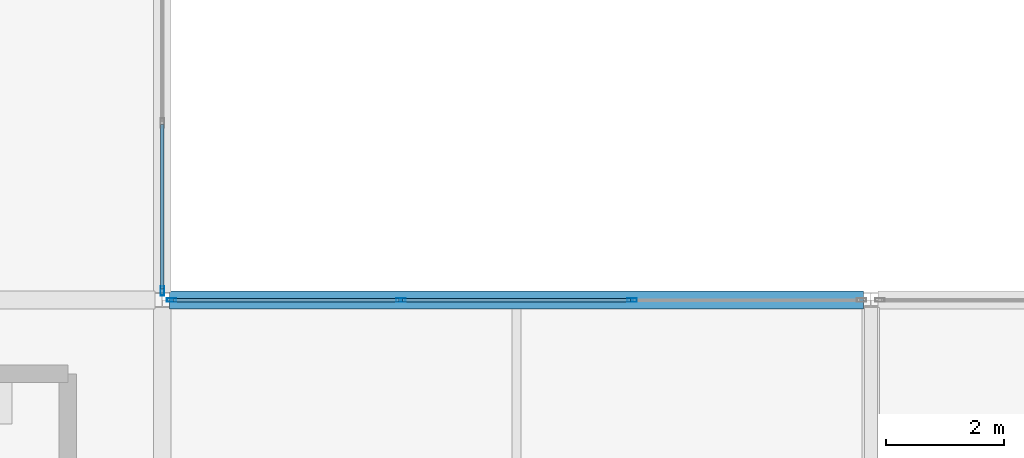
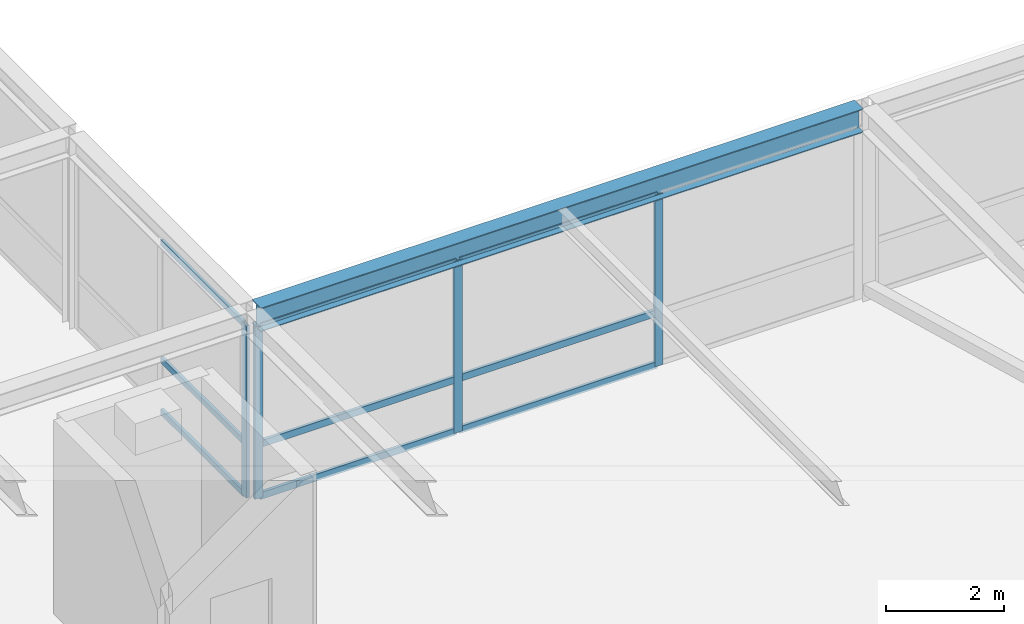
# One storey, part 63 of 111: 13 members, 1 beam, 2 elements without a shape of their own.
"""IFC4 building model written with IfcOpenShell, lengths in metres."""

from ifc_helpers import new_model, si_unit, direction, frame, origin, origin_2d, place, context, subcontext, project, spatial, hollow_rectangle, i_section, extrude, material, layer, layer_set, material_profile, profile_set, type_object, element, aggregate, save


model = new_model("IFC4")

# Units and contexts
model_context = context("Model", 3, precision=1e-05, world=origin(), true_north=direction((0.0, 1.0)))
body_context = subcontext(model_context, "Body", "Model", "MODEL_VIEW")
ifc_project = project(units=[si_unit("LENGTHUNIT", "METRE"), si_unit("AREAUNIT", "SQUARE_METRE"), si_unit("VOLUMEUNIT", "CUBIC_METRE"), si_unit("PLANEANGLEUNIT", "RADIAN"), si_unit("MASSUNIT", "GRAM", prefix="KILO")], contexts=[model_context])

# Site, building, storey
site_placement = place(None, origin())
site = spatial("IfcSite", under=ifc_project, at=site_placement, CompositionType="ELEMENT")
building_placement = place(site_placement, origin())
building = spatial("IfcBuilding", under=site, at=building_placement, Name="Zlatovratsky Civic Hall", CompositionType="ELEMENT")
storey_placement = place(building_placement, frame((0.0, 0.0, 16.5)))
storey = spatial("IfcBuildingStorey", under=building, at=storey_placement, Name="L04", CompositionType="ELEMENT", Elevation=16.5)

# Beam
ifc_material_1 = material(Name="Steel S355", Category="steel")
ifc_material_profile_1 = material_profile(ifc_material_1, i_section(OverallWidth=0.300048828125, OverallDepth=0.487060546875, WebThickness=0.014404296875, FlangeThickness=0.017578125, FilletRadius=0.02392578125, at=origin_2d()), Name="50Sh2")
ifc_profile_set_1 = profile_set([ifc_material_profile_1], Name="Steel S355")
beam_type = type_object("IfcBeamType", Name="Beam_ArchiveGirder_50Sh2", PredefinedType="BEAM", material=ifc_profile_set_1)
beam_placement = place(storey_placement, frame((120.125, 30.0, 3.756591796875), z_axis=(1.0, 0.0, 0.0), x_axis=(0.0, 1.0, 0.0)))
element("IfcBeam", 1, at=beam_placement, inside=storey, type_object=beam_type, Name="BM-3269", PredefinedType="BEAM", context=body_context, shape_type="SweptSolid", body=[
    extrude(i_section(OverallWidth=0.300048828125, OverallDepth=0.487060546875, WebThickness=0.014404296875, FlangeThickness=0.017578125, FilletRadius=0.02392578125, at=origin_2d()), origin(), (0.0, 0.0, 1.0), 11.75),
])

# Curtain wall, members
ifc_material_2 = material(Name="Anodised bronze aluminium", Category="aluminium")
ifc_layer_1 = layer(ifc_material_2, 0.159912109375)
ifc_layer_set_1 = layer_set([ifc_layer_1], Name="Anodised bronze aluminium")
curtain_wall_type_1 = type_object("IfcCurtainWallType", Name="CurtainWall_Bronze_11750x3550_17", PredefinedType="NOTDEFINED", material=ifc_layer_set_1)
curtain_wall_1_placement = place(storey_placement, origin())
curtain_wall_1 = element("IfcCurtainWall", 2, at=curtain_wall_1_placement, inside=storey, type_object=curtain_wall_type_1, Name="CW-111", PredefinedType="NOTDEFINED")
ifc_material_profile_2 = material_profile(ifc_material_2, hollow_rectangle(XDim=0.06005859375, YDim=0.159912109375, WallThickness=0.00390625, at=origin_2d()), Name="ALU 60x160x4")
ifc_profile_set_2 = profile_set([ifc_material_profile_2], Name="Anodised bronze aluminium")
member_type_1 = type_object("IfcMemberType", Name="CW_Mullion_60x160", PredefinedType="MULLION", material=ifc_profile_set_2)
member_1_placement = place(storey_placement, frame((120.155029296875, 30.0, 0.0), z_axis=(0.0, 0.0, 1.0), x_axis=(0.0, 1.0, 0.0)))
member_1 = element("IfcMember", 3, at=member_1_placement, type_object=member_type_1, Name="CW-17 mullion 1", PredefinedType="MULLION", context=body_context, shape_type="SweptSolid", body=[
    extrude(hollow_rectangle(XDim=0.06005859375, YDim=0.159912109375, WallThickness=0.00390625, at=origin_2d()), origin(), (0.0, 0.0, 1.0), 3.550048828125),
])
member_2_placement = place(storey_placement, frame((124.041748046875, 30.0, 0.0), z_axis=(0.0, 0.0, 1.0), x_axis=(0.0, 1.0, 0.0)))
member_2 = element("IfcMember", 4, at=member_2_placement, type_object=member_type_1, Name="CW-17 mullion 2", PredefinedType="MULLION", context=body_context, shape_type="SweptSolid", body=[
    extrude(hollow_rectangle(XDim=0.06005859375, YDim=0.159912109375, WallThickness=0.00390625, at=origin_2d()), origin(), (0.0, 0.0, 1.0), 3.550048828125),
])
member_3_placement = place(storey_placement, frame((127.958251953125, 30.0, 0.0), z_axis=(0.0, 0.0, 1.0), x_axis=(0.0, 1.0, 0.0)))
member_3 = element("IfcMember", 5, at=member_3_placement, type_object=member_type_1, Name="CW-17 mullion 3", PredefinedType="MULLION", context=body_context, shape_type="SweptSolid", body=[
    extrude(hollow_rectangle(XDim=0.06005859375, YDim=0.159912109375, WallThickness=0.00390625, at=origin_2d()), origin(), (0.0, 0.0, 1.0), 3.550048828125),
])

ifc_layer_2 = layer(ifc_material_2, 0.159912109375)
ifc_layer_set_2 = layer_set([ifc_layer_2], Name="Anodised bronze aluminium")
curtain_wall_type_2 = type_object("IfcCurtainWallType", Name="CurtainWall_Bronze_5750x3550_18", PredefinedType="NOTDEFINED", material=ifc_layer_set_2)
curtain_wall_2_placement = place(storey_placement, origin())
curtain_wall_2 = element("IfcCurtainWall", 6, at=curtain_wall_2_placement, inside=storey, type_object=curtain_wall_type_2, Name="CW-117", PredefinedType="NOTDEFINED")
member_4_placement = place(storey_placement, frame((120.0, 30.155029296875, 0.0), z_axis=(0.0, 0.0, 1.0), x_axis=(-1.0, 0.0, 0.0)))
member_4 = element("IfcMember", 7, at=member_4_placement, type_object=member_type_1, Name="CW-18 mullion 1", PredefinedType="MULLION", context=body_context, shape_type="SweptSolid", body=[
    extrude(hollow_rectangle(XDim=0.06005859375, YDim=0.159912109375, WallThickness=0.00390625, at=origin_2d()), origin(), (0.0, 0.0, 1.0), 3.550048828125),
])
ifc_material_profile_3 = material_profile(ifc_material_2, hollow_rectangle(XDim=0.06005859375, YDim=0.1201171875, WallThickness=0.00390625, at=origin_2d()), Name="ALU 60x120x4")
ifc_profile_set_3 = profile_set([ifc_material_profile_3], Name="Anodised bronze aluminium")
member_type_2 = type_object("IfcMemberType", Name="CW_Transom_60x120", PredefinedType="USERDEFINED", material=ifc_profile_set_3)
member_5_placement = place(storey_placement, frame((120.0, 30.18505859375, 0.030029296875), z_axis=(0.0, 1.0, 0.0), x_axis=(-1.0, 0.0, 0.0)))
member_5 = element("IfcMember", 8, at=member_5_placement, type_object=member_type_2, Name="CW-18 transom 1.1", ObjectType="TRANSOM", PredefinedType="USERDEFINED", context=body_context, shape_type="SweptSolid", body=[
    extrude(hollow_rectangle(XDim=0.06005859375, YDim=0.1201171875, WallThickness=0.00390625, at=origin_2d()), origin(), (0.0, 0.0, 1.0), 2.784912109375),
])
member_6_placement = place(storey_placement, frame((120.0, 30.18505859375, 1.10009765625), z_axis=(0.0, 1.0, 0.0), x_axis=(-1.0, 0.0, 0.0)))
member_6 = element("IfcMember", 9, at=member_6_placement, type_object=member_type_2, Name="CW-18 transom 1.2", ObjectType="TRANSOM", PredefinedType="USERDEFINED", context=body_context, shape_type="SweptSolid", body=[
    extrude(hollow_rectangle(XDim=0.06005859375, YDim=0.1201171875, WallThickness=0.00390625, at=origin_2d()), origin(), (0.0, 0.0, 1.0), 2.784912109375),
])
member_7_placement = place(storey_placement, frame((120.0, 30.18505859375, 3.52001953125), z_axis=(0.0, 1.0, 0.0), x_axis=(-1.0, 0.0, 0.0)))
member_7 = element("IfcMember", 10, at=member_7_placement, type_object=member_type_2, Name="CW-18 transom 1.3", ObjectType="TRANSOM", PredefinedType="USERDEFINED", context=body_context, shape_type="SweptSolid", body=[
    extrude(hollow_rectangle(XDim=0.06005859375, YDim=0.1201171875, WallThickness=0.00390625, at=origin_2d()), origin(), (0.0, 0.0, 1.0), 2.784912109375),
])
aggregate(curtain_wall_2, [member_4, member_5, member_6, member_7])

# Member
ifc_material_profile_4 = material_profile(ifc_material_2, hollow_rectangle(XDim=0.06005859375, YDim=0.139892578125, WallThickness=0.00390625, at=origin_2d()), Name="ALU 60x140x4")
ifc_profile_set_4 = profile_set([ifc_material_profile_4], Name="Anodised bronze aluminium")
member_type_3 = type_object("IfcMemberType", Name="CW_Transom_60x140", PredefinedType="USERDEFINED", material=ifc_profile_set_4)
member_8_placement = place(storey_placement, frame((120.18505859375, 30.0, 0.030029296875), z_axis=(1.0, 0.0, 0.0), x_axis=(0.0, 1.0, 0.0)))
member_8 = element("IfcMember", 11, at=member_8_placement, type_object=member_type_3, Name="CW-17 transom 1.1", ObjectType="TRANSOM", PredefinedType="USERDEFINED", context=body_context, shape_type="SweptSolid", body=[
    extrude(hollow_rectangle(XDim=0.06005859375, YDim=0.139892578125, WallThickness=0.00390625, at=origin_2d()), origin(), (0.0, 0.0, 1.0), 3.82666015625),
])

member_9_placement = place(storey_placement, frame((120.18505859375, 30.0, 1.10009765625), z_axis=(1.0, 0.0, 0.0), x_axis=(0.0, 1.0, 0.0)))
member_9 = element("IfcMember", 12, at=member_9_placement, type_object=member_type_3, Name="CW-17 transom 1.2", ObjectType="TRANSOM", PredefinedType="USERDEFINED", context=body_context, shape_type="SweptSolid", body=[
    extrude(hollow_rectangle(XDim=0.06005859375, YDim=0.139892578125, WallThickness=0.00390625, at=origin_2d()), origin(), (0.0, 0.0, 1.0), 3.82666015625),
])

member_10_placement = place(storey_placement, frame((120.18505859375, 30.0, 3.52001953125), z_axis=(1.0, 0.0, 0.0), x_axis=(0.0, 1.0, 0.0)))
member_10 = element("IfcMember", 13, at=member_10_placement, type_object=member_type_3, Name="CW-17 transom 1.3", ObjectType="TRANSOM", PredefinedType="USERDEFINED", context=body_context, shape_type="SweptSolid", body=[
    extrude(hollow_rectangle(XDim=0.06005859375, YDim=0.139892578125, WallThickness=0.00390625, at=origin_2d()), origin(), (0.0, 0.0, 1.0), 3.82666015625),
])

member_11_placement = place(storey_placement, frame((124.07177734375, 30.0, 0.030029296875), z_axis=(1.0, 0.0, 0.0), x_axis=(0.0, 1.0, 0.0)))
member_11 = element("IfcMember", 14, at=member_11_placement, type_object=member_type_3, Name="CW-17 transom 2.1", ObjectType="TRANSOM", PredefinedType="USERDEFINED", context=body_context, shape_type="SweptSolid", body=[
    extrude(hollow_rectangle(XDim=0.06005859375, YDim=0.139892578125, WallThickness=0.00390625, at=origin_2d()), origin(), (0.0, 0.0, 1.0), 3.8564453125),
])

member_12_placement = place(storey_placement, frame((124.07177734375, 30.0, 1.10009765625), z_axis=(1.0, 0.0, 0.0), x_axis=(0.0, 1.0, 0.0)))
member_12 = element("IfcMember", 15, at=member_12_placement, type_object=member_type_3, Name="CW-17 transom 2.2", ObjectType="TRANSOM", PredefinedType="USERDEFINED", context=body_context, shape_type="SweptSolid", body=[
    extrude(hollow_rectangle(XDim=0.06005859375, YDim=0.139892578125, WallThickness=0.00390625, at=origin_2d()), origin(), (0.0, 0.0, 1.0), 3.8564453125),
])

member_13_placement = place(storey_placement, frame((124.07177734375, 30.0, 3.52001953125), z_axis=(1.0, 0.0, 0.0), x_axis=(0.0, 1.0, 0.0)))
member_13 = element("IfcMember", 16, at=member_13_placement, type_object=member_type_3, Name="CW-17 transom 2.3", ObjectType="TRANSOM", PredefinedType="USERDEFINED", context=body_context, shape_type="SweptSolid", body=[
    extrude(hollow_rectangle(XDim=0.06005859375, YDim=0.139892578125, WallThickness=0.00390625, at=origin_2d()), origin(), (0.0, 0.0, 1.0), 3.8564453125),
])

aggregate(curtain_wall_1, [member_1, member_2, member_3, member_8, member_9, member_10, member_11, member_12, member_13])

save(model, "model.ifc")
